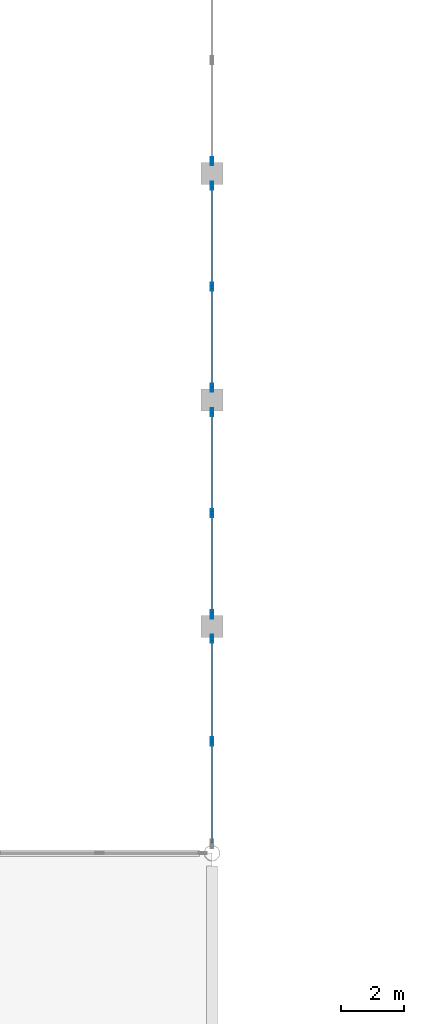
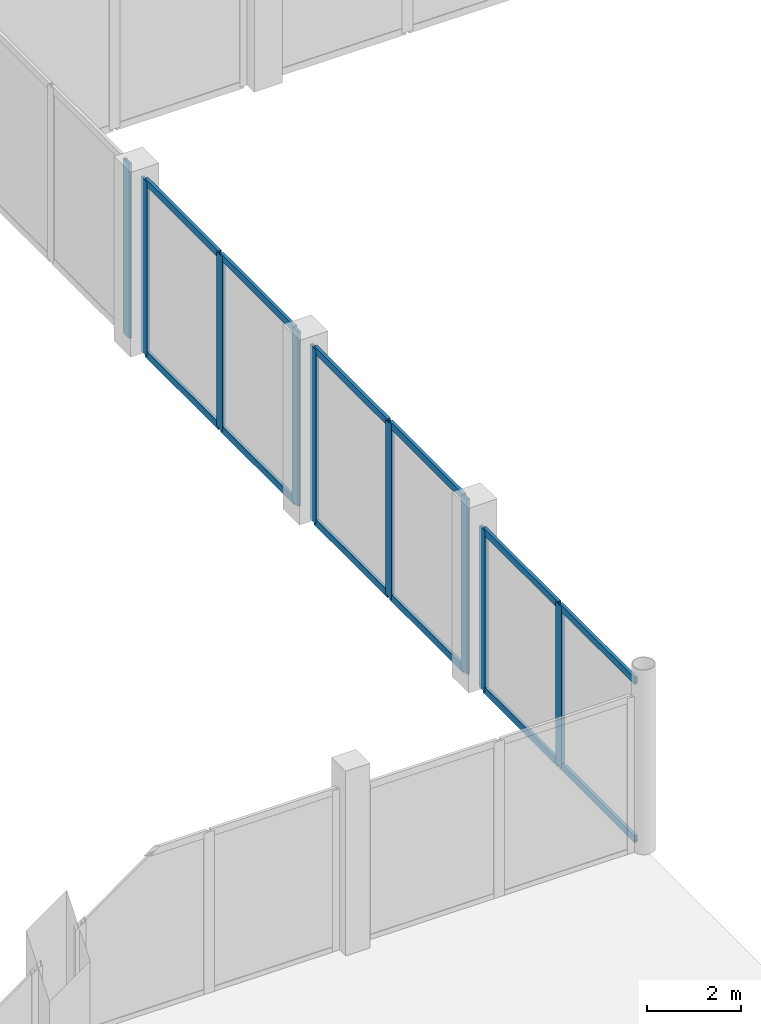
# One storey, part 39 of 99: 21 members, 4 elements without a shape of their own.
"""IFC4 building model written with IfcOpenShell, lengths in metres."""

from ifc_helpers import new_model, si_unit, direction, frame, origin, origin_2d, place, context, subcontext, project, spatial, hollow_rectangle, extrude, material, material_profile, profile_set, type_object, element, aggregate, save


model = new_model("IFC4")

# Units and contexts
model_context = context("Model", 3, precision=1e-05, world=origin(), true_north=direction((0.0, 1.0)))
body_context = subcontext(model_context, "Body", "Model", "MODEL_VIEW")
ifc_project = project(units=[si_unit("LENGTHUNIT", "METRE"), si_unit("AREAUNIT", "SQUARE_METRE"), si_unit("VOLUMEUNIT", "CUBIC_METRE"), si_unit("PLANEANGLEUNIT", "RADIAN"), si_unit("MASSUNIT", "GRAM", prefix="KILO")], contexts=[model_context])

# Site, building, storey
site_placement = place(None, origin())
site = spatial("IfcSite", under=ifc_project, at=site_placement, CompositionType="ELEMENT")
building_placement = place(site_placement, origin())
building = spatial("IfcBuilding", under=site, at=building_placement, Name="Vesperath Aquatics Centre", CompositionType="ELEMENT")
storey_placement = place(building_placement, frame((0.0, 0.0, 5.39990234375)))
storey = spatial("IfcBuildingStorey", under=building, at=storey_placement, Name="L01", CompositionType="ELEMENT", Elevation=5.39990234375)

# Curtain wall, members
ifc_material_1 = material(Name="Thermally broken anodised bronze aluminium curtain wall", Category="aluminium")
curtain_wall_type = type_object("IfcCurtainWallType", Name="CW-06", PredefinedType="NOTDEFINED", material=ifc_material_1)
curtain_wall_1_placement = place(storey_placement, origin())
curtain_wall_1 = element("IfcCurtainWall", 1, at=curtain_wall_1_placement, inside=storey, type_object=curtain_wall_type, Name="Facade Curtain Wall CW06 L01_W_16_12", PredefinedType="NOTDEFINED")
ifc_material_2 = material(Name="Thermally broken anodised aluminium", Category="aluminium")
ifc_material_profile_1 = material_profile(ifc_material_2, hollow_rectangle(XDim=0.074951171875, YDim=0.260009765625, WallThickness=0.006103515625, at=origin_2d()), Name="CWM 75x260x6")
ifc_profile_set_1 = profile_set([ifc_material_profile_1], Name="Thermally broken anodised aluminium")
member_type_1 = type_object("IfcMemberType", Name="MB-CWM1", PredefinedType="MULLION", material=ifc_profile_set_1)
member_1_placement = place(storey_placement, frame((115.199951171875, 89.951904296875, 0.0), z_axis=(0.0, 0.0, 1.0), x_axis=(-1.0, 0.0, 0.0)))
member_1 = element("IfcMember", 2, at=member_1_placement, type_object=member_type_1, Name="CW06 mullion 2", PredefinedType="MULLION", context=body_context, shape_type="SweptSolid", body=[
    extrude(hollow_rectangle(XDim=0.074951171875, YDim=0.260009765625, WallThickness=0.006103515625, at=origin_2d()), origin(), (0.0, 0.0, 1.0), 4.190185546875),
])
member_2_placement = place(storey_placement, frame((115.199951171875, 93.21240234375, 0.0), z_axis=(0.0, 0.0, 1.0), x_axis=(-1.0, 0.0, 0.0)))
member_2 = element("IfcMember", 3, at=member_2_placement, type_object=member_type_1, Name="CW06 mullion 3", PredefinedType="MULLION", context=body_context, shape_type="SweptSolid", body=[
    extrude(hollow_rectangle(XDim=0.074951171875, YDim=0.260009765625, WallThickness=0.006103515625, at=origin_2d()), origin(), (0.0, 0.0, 1.0), 4.190185546875),
])

curtain_wall_2_placement = place(storey_placement, origin())
curtain_wall_2 = element("IfcCurtainWall", 4, at=curtain_wall_2_placement, inside=storey, type_object=curtain_wall_type, Name="Facade Curtain Wall CW06 L01_W_16_13", PredefinedType="NOTDEFINED")
member_3_placement = place(storey_placement, frame((115.199951171875, 93.987548828125, 0.0), z_axis=(0.0, 0.0, 1.0), x_axis=(-1.0, 0.0, 0.0)))
member_3 = element("IfcMember", 5, at=member_3_placement, type_object=member_type_1, Name="CW06 mullion 1", PredefinedType="MULLION", context=body_context, shape_type="SweptSolid", body=[
    extrude(hollow_rectangle(XDim=0.074951171875, YDim=0.260009765625, WallThickness=0.006103515625, at=origin_2d()), origin(), (0.0, 0.0, 1.0), 4.5400390625),
])
member_4_placement = place(storey_placement, frame((115.199951171875, 97.199951171875, 0.0), z_axis=(0.0, 0.0, 1.0), x_axis=(-1.0, 0.0, 0.0)))
member_4 = element("IfcMember", 6, at=member_4_placement, type_object=member_type_1, Name="CW06 mullion 2", PredefinedType="MULLION", context=body_context, shape_type="SweptSolid", body=[
    extrude(hollow_rectangle(XDim=0.074951171875, YDim=0.260009765625, WallThickness=0.006103515625, at=origin_2d()), origin(), (0.0, 0.0, 1.0), 4.5400390625),
])
member_5_placement = place(storey_placement, frame((115.199951171875, 100.41259765625, 0.0), z_axis=(0.0, 0.0, 1.0), x_axis=(-1.0, 0.0, 0.0)))
member_5 = element("IfcMember", 7, at=member_5_placement, type_object=member_type_1, Name="CW06 mullion 3", PredefinedType="MULLION", context=body_context, shape_type="SweptSolid", body=[
    extrude(hollow_rectangle(XDim=0.074951171875, YDim=0.260009765625, WallThickness=0.006103515625, at=origin_2d()), origin(), (0.0, 0.0, 1.0), 4.5400390625),
])

curtain_wall_3_placement = place(storey_placement, origin())
curtain_wall_3 = element("IfcCurtainWall", 8, at=curtain_wall_3_placement, inside=storey, type_object=curtain_wall_type, Name="Facade Curtain Wall CW06 L01_W_16_14", PredefinedType="NOTDEFINED")
member_6_placement = place(storey_placement, frame((115.199951171875, 101.1875, 0.0), z_axis=(0.0, 0.0, 1.0), x_axis=(-1.0, 0.0, 0.0)))
member_6 = element("IfcMember", 9, at=member_6_placement, type_object=member_type_1, Name="CW06 mullion 1", PredefinedType="MULLION", context=body_context, shape_type="SweptSolid", body=[
    extrude(hollow_rectangle(XDim=0.074951171875, YDim=0.260009765625, WallThickness=0.006103515625, at=origin_2d()), origin(), (0.0, 0.0, 1.0), 4.5400390625),
])
member_7_placement = place(storey_placement, frame((115.199951171875, 104.39990234375, 0.0), z_axis=(0.0, 0.0, 1.0), x_axis=(-1.0, 0.0, 0.0)))
member_7 = element("IfcMember", 10, at=member_7_placement, type_object=member_type_1, Name="CW06 mullion 2", PredefinedType="MULLION", context=body_context, shape_type="SweptSolid", body=[
    extrude(hollow_rectangle(XDim=0.074951171875, YDim=0.260009765625, WallThickness=0.006103515625, at=origin_2d()), origin(), (0.0, 0.0, 1.0), 4.5400390625),
])
member_8_placement = place(storey_placement, frame((115.199951171875, 107.612548828125, 0.0), z_axis=(0.0, 0.0, 1.0), x_axis=(-1.0, 0.0, 0.0)))
member_8 = element("IfcMember", 11, at=member_8_placement, type_object=member_type_1, Name="CW06 mullion 3", PredefinedType="MULLION", context=body_context, shape_type="SweptSolid", body=[
    extrude(hollow_rectangle(XDim=0.074951171875, YDim=0.260009765625, WallThickness=0.006103515625, at=origin_2d()), origin(), (0.0, 0.0, 1.0), 4.5400390625),
])

# Curtain wall, member
curtain_wall_4_placement = place(storey_placement, origin())
curtain_wall_4 = element("IfcCurtainWall", 12, at=curtain_wall_4_placement, inside=storey, type_object=curtain_wall_type, Name="Facade Curtain Wall CW06 L01_W_16_15", PredefinedType="NOTDEFINED")
member_9_placement = place(storey_placement, frame((115.199951171875, 108.387451171875, 0.0), z_axis=(0.0, 0.0, 1.0), x_axis=(-1.0, 0.0, 0.0)))
member_9 = element("IfcMember", 13, at=member_9_placement, type_object=member_type_1, Name="CW06 mullion 1", PredefinedType="MULLION", context=body_context, shape_type="SweptSolid", body=[
    extrude(hollow_rectangle(XDim=0.074951171875, YDim=0.260009765625, WallThickness=0.006103515625, at=origin_2d()), origin(), (0.0, 0.0, 1.0), 4.5400390625),
])
aggregate(curtain_wall_4, [member_9])

# Member
ifc_material_profile_2 = material_profile(ifc_material_2, hollow_rectangle(XDim=0.074951171875, YDim=0.179931640625, WallThickness=0.0048828125, at=origin_2d()), Name="CWT 75x180x5")
ifc_profile_set_2 = profile_set([ifc_material_profile_2], Name="Thermally broken anodised aluminium")
member_type_2 = type_object("IfcMemberType", Name="MB-CWT1", PredefinedType="USERDEFINED", material=ifc_profile_set_2)
member_10_placement = place(storey_placement, frame((115.199951171875, 86.72900390625, 0.03759765625), z_axis=(0.0, 1.0, 0.0), x_axis=(-1.0, 0.0, 0.0)))
member_10 = element("IfcMember", 14, at=member_10_placement, type_object=member_type_2, Name="CW06 transom 1.1", ObjectType="TRANSOM", PredefinedType="USERDEFINED", context=body_context, shape_type="SweptSolid", body=[
    extrude(hollow_rectangle(XDim=0.074951171875, YDim=0.179931640625, WallThickness=0.0048828125, at=origin_2d()), origin(), (0.0, 0.0, 1.0), 3.185546875),
])

member_11_placement = place(storey_placement, frame((115.199951171875, 86.72900390625, 4.152587890625), z_axis=(0.0, 1.0, 0.0), x_axis=(-1.0, 0.0, 0.0)))
member_11 = element("IfcMember", 15, at=member_11_placement, type_object=member_type_2, Name="CW06 transom 1.2", ObjectType="TRANSOM", PredefinedType="USERDEFINED", context=body_context, shape_type="SweptSolid", body=[
    extrude(hollow_rectangle(XDim=0.074951171875, YDim=0.179931640625, WallThickness=0.0048828125, at=origin_2d()), origin(), (0.0, 0.0, 1.0), 3.185546875),
])

member_12_placement = place(storey_placement, frame((115.199951171875, 89.989501953125, 0.03759765625), z_axis=(0.0, 1.0, 0.0), x_axis=(-1.0, 0.0, 0.0)))
member_12 = element("IfcMember", 16, at=member_12_placement, type_object=member_type_2, Name="CW06 transom 2.1", ObjectType="TRANSOM", PredefinedType="USERDEFINED", context=body_context, shape_type="SweptSolid", body=[
    extrude(hollow_rectangle(XDim=0.074951171875, YDim=0.179931640625, WallThickness=0.0048828125, at=origin_2d()), origin(), (0.0, 0.0, 1.0), 3.185546875),
])

member_13_placement = place(storey_placement, frame((115.199951171875, 89.989501953125, 4.152587890625), z_axis=(0.0, 1.0, 0.0), x_axis=(-1.0, 0.0, 0.0)))
member_13 = element("IfcMember", 17, at=member_13_placement, type_object=member_type_2, Name="CW06 transom 2.2", ObjectType="TRANSOM", PredefinedType="USERDEFINED", context=body_context, shape_type="SweptSolid", body=[
    extrude(hollow_rectangle(XDim=0.074951171875, YDim=0.179931640625, WallThickness=0.0048828125, at=origin_2d()), origin(), (0.0, 0.0, 1.0), 3.185546875),
])

aggregate(curtain_wall_1, [member_1, member_2, member_10, member_11, member_12, member_13])

member_14_placement = place(storey_placement, frame((115.199951171875, 94.02490234375, 0.03759765625), z_axis=(0.0, 1.0, 0.0), x_axis=(-1.0, 0.0, 0.0)))
member_14 = element("IfcMember", 18, at=member_14_placement, type_object=member_type_2, Name="CW06 transom 1.1", ObjectType="TRANSOM", PredefinedType="USERDEFINED", context=body_context, shape_type="SweptSolid", body=[
    extrude(hollow_rectangle(XDim=0.074951171875, YDim=0.179931640625, WallThickness=0.0048828125, at=origin_2d()), origin(), (0.0, 0.0, 1.0), 3.1376953125),
])

member_15_placement = place(storey_placement, frame((115.199951171875, 94.02490234375, 4.502685546875), z_axis=(0.0, 1.0, 0.0), x_axis=(-1.0, 0.0, 0.0)))
member_15 = element("IfcMember", 19, at=member_15_placement, type_object=member_type_2, Name="CW06 transom 1.2", ObjectType="TRANSOM", PredefinedType="USERDEFINED", context=body_context, shape_type="SweptSolid", body=[
    extrude(hollow_rectangle(XDim=0.074951171875, YDim=0.179931640625, WallThickness=0.0048828125, at=origin_2d()), origin(), (0.0, 0.0, 1.0), 3.1376953125),
])

member_16_placement = place(storey_placement, frame((115.199951171875, 97.237548828125, 0.03759765625), z_axis=(0.0, 1.0, 0.0), x_axis=(-1.0, 0.0, 0.0)))
member_16 = element("IfcMember", 20, at=member_16_placement, type_object=member_type_2, Name="CW06 transom 2.1", ObjectType="TRANSOM", PredefinedType="USERDEFINED", context=body_context, shape_type="SweptSolid", body=[
    extrude(hollow_rectangle(XDim=0.074951171875, YDim=0.179931640625, WallThickness=0.0048828125, at=origin_2d()), origin(), (0.0, 0.0, 1.0), 3.137451171875),
])

member_17_placement = place(storey_placement, frame((115.199951171875, 97.237548828125, 4.502685546875), z_axis=(0.0, 1.0, 0.0), x_axis=(-1.0, 0.0, 0.0)))
member_17 = element("IfcMember", 21, at=member_17_placement, type_object=member_type_2, Name="CW06 transom 2.2", ObjectType="TRANSOM", PredefinedType="USERDEFINED", context=body_context, shape_type="SweptSolid", body=[
    extrude(hollow_rectangle(XDim=0.074951171875, YDim=0.179931640625, WallThickness=0.0048828125, at=origin_2d()), origin(), (0.0, 0.0, 1.0), 3.137451171875),
])

aggregate(curtain_wall_2, [member_3, member_4, member_5, member_14, member_15, member_16, member_17])

member_18_placement = place(storey_placement, frame((115.199951171875, 101.22509765625, 0.03759765625), z_axis=(0.0, 1.0, 0.0), x_axis=(-1.0, 0.0, 0.0)))
member_18 = element("IfcMember", 22, at=member_18_placement, type_object=member_type_2, Name="CW06 transom 1.1", ObjectType="TRANSOM", PredefinedType="USERDEFINED", context=body_context, shape_type="SweptSolid", body=[
    extrude(hollow_rectangle(XDim=0.074951171875, YDim=0.179931640625, WallThickness=0.0048828125, at=origin_2d()), origin(), (0.0, 0.0, 1.0), 3.137451171875),
])

member_19_placement = place(storey_placement, frame((115.199951171875, 101.22509765625, 4.502685546875), z_axis=(0.0, 1.0, 0.0), x_axis=(-1.0, 0.0, 0.0)))
member_19 = element("IfcMember", 23, at=member_19_placement, type_object=member_type_2, Name="CW06 transom 1.2", ObjectType="TRANSOM", PredefinedType="USERDEFINED", context=body_context, shape_type="SweptSolid", body=[
    extrude(hollow_rectangle(XDim=0.074951171875, YDim=0.179931640625, WallThickness=0.0048828125, at=origin_2d()), origin(), (0.0, 0.0, 1.0), 3.137451171875),
])

member_20_placement = place(storey_placement, frame((115.199951171875, 104.4375, 0.03759765625), z_axis=(0.0, 1.0, 0.0), x_axis=(-1.0, 0.0, 0.0)))
member_20 = element("IfcMember", 24, at=member_20_placement, type_object=member_type_2, Name="CW06 transom 2.1", ObjectType="TRANSOM", PredefinedType="USERDEFINED", context=body_context, shape_type="SweptSolid", body=[
    extrude(hollow_rectangle(XDim=0.074951171875, YDim=0.179931640625, WallThickness=0.0048828125, at=origin_2d()), origin(), (0.0, 0.0, 1.0), 3.137451171875),
])

member_21_placement = place(storey_placement, frame((115.199951171875, 104.4375, 4.502685546875), z_axis=(0.0, 1.0, 0.0), x_axis=(-1.0, 0.0, 0.0)))
member_21 = element("IfcMember", 25, at=member_21_placement, type_object=member_type_2, Name="CW06 transom 2.2", ObjectType="TRANSOM", PredefinedType="USERDEFINED", context=body_context, shape_type="SweptSolid", body=[
    extrude(hollow_rectangle(XDim=0.074951171875, YDim=0.179931640625, WallThickness=0.0048828125, at=origin_2d()), origin(), (0.0, 0.0, 1.0), 3.137451171875),
])

aggregate(curtain_wall_3, [member_6, member_7, member_8, member_18, member_19, member_20, member_21])

save(model, "model.ifc")
